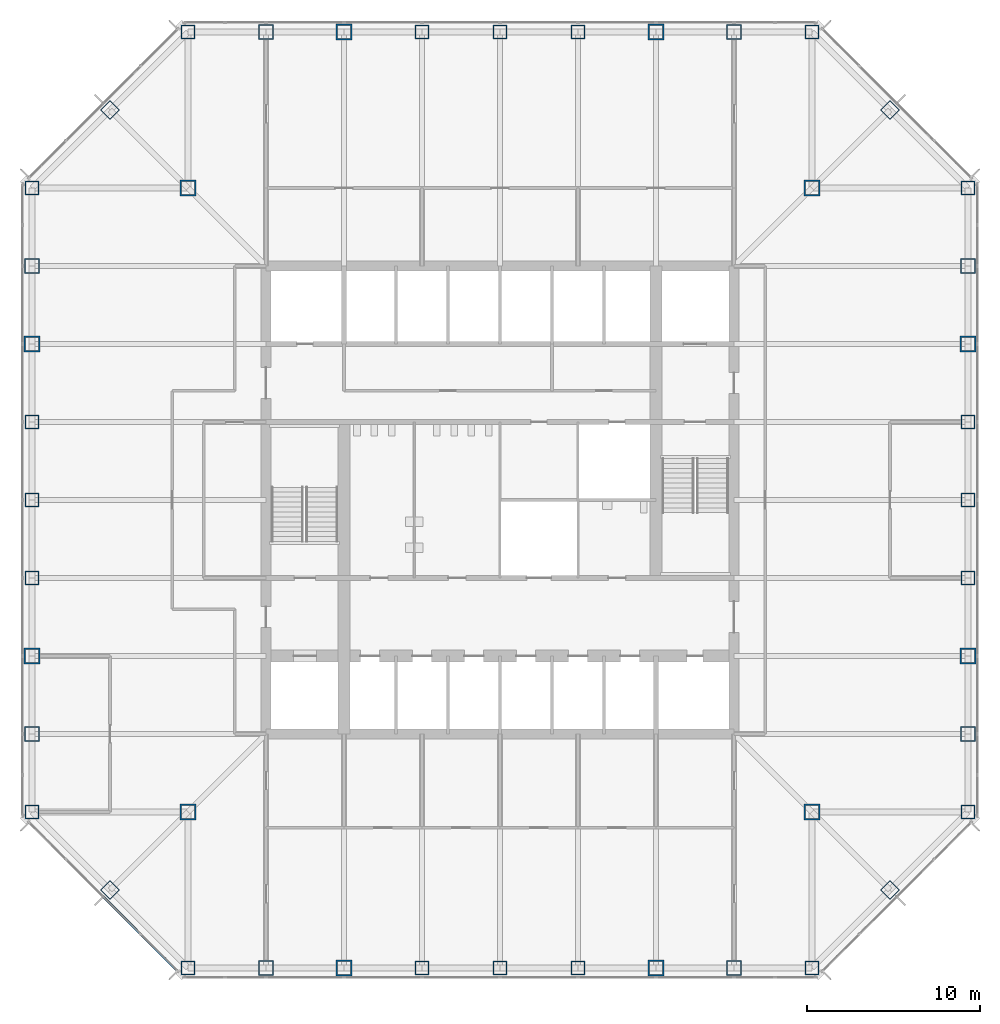
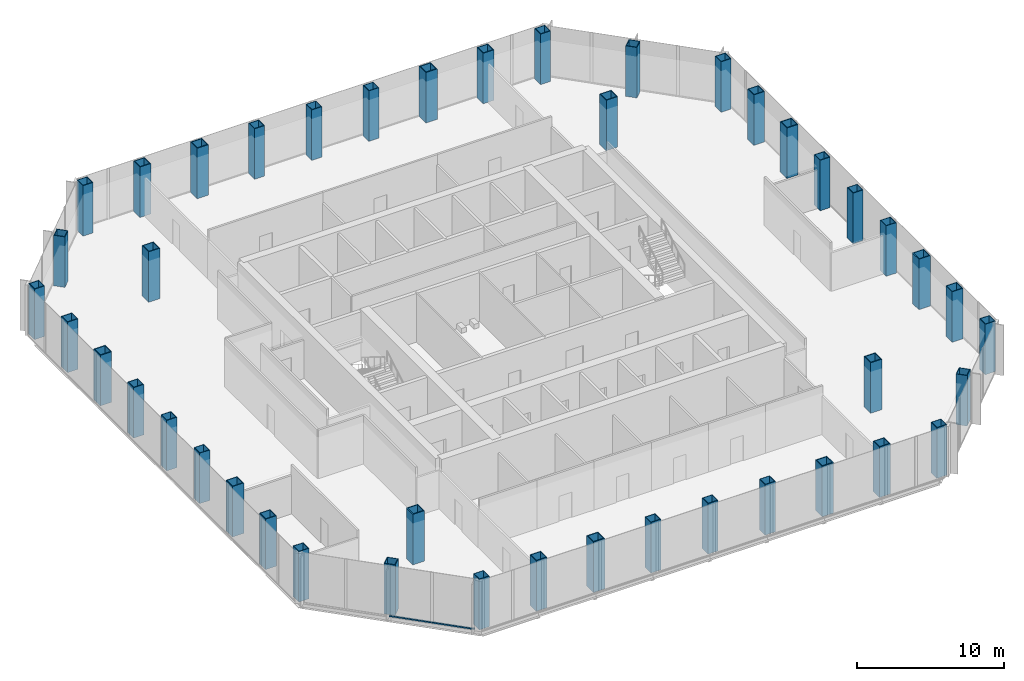
# One storey, part 1 of 12: 44 columns, 2 members, 1 element without a shape of its own.
"""IFC4 building model written with IfcOpenShell, lengths in metres."""

from ifc_helpers import new_model, si_unit, direction, frame, origin, origin_2d, place, context, subcontext, project, spatial, rectangle, hollow_rectangle, extrude, material, material_profile, profile_set, type_object, element, aggregate, save


model = new_model("IFC4")

# Units and contexts
model_context = context("Model", 3, precision=1e-05, world=origin(), true_north=direction((0.0, 1.0)))
body_context = subcontext(model_context, "Body", "Model", "MODEL_VIEW")
ifc_project = project(units=[si_unit("LENGTHUNIT", "METRE"), si_unit("AREAUNIT", "SQUARE_METRE"), si_unit("VOLUMEUNIT", "CUBIC_METRE"), si_unit("PLANEANGLEUNIT", "RADIAN"), si_unit("MASSUNIT", "GRAM", prefix="KILO")], contexts=[model_context])

# Site, building, storey
site_placement = place(None, origin())
site = spatial("IfcSite", under=ifc_project, at=site_placement, CompositionType="ELEMENT")
building_placement = place(site_placement, origin())
building = spatial("IfcBuilding", under=site, at=building_placement, Name="Corais Broadcast Tower", CompositionType="ELEMENT")
storey_placement = place(building_placement, frame((0.0, 0.0, 54.199951171875)))
storey = spatial("IfcBuildingStorey", under=building, at=storey_placement, Name="L11", CompositionType="ELEMENT", Elevation=54.199951171875)

# Columns
ifc_material_1 = material(Name="Steel ASTM A572 Grade 50", Category="steel")
ifc_material_profile_1 = material_profile(ifc_material_1, hollow_rectangle(XDim=0.800048828125, YDim=0.800048828125, WallThickness=0.044921875, at=origin_2d()), Name="BOX 800x800x45")
ifc_profile_set_1 = profile_set([ifc_material_profile_1], Name="Steel ASTM A572 Grade 50")
column_type_1 = type_object("IfcColumnType", Name="Column BOX 800x800x45", PredefinedType="COLUMN", material=ifc_profile_set_1)
for number, where, z_axis, x_axis, name in (
    (1, (9.0, 0.0, 0.0), (0.0, 0.0, 1.0), (1.0, 0.0, 0.0), "C3 A/5"),
    (2, (22.5, 0.0, 0.0), (0.0, 0.0, 1.0), (1.0, 0.0, 0.0), "C3 A/8"),
    (3, (27.0, 0.0, 0.0), (0.0, 0.0, 1.0), (1.0, 0.0, 0.0), "C3 A/9"),
    (4, (31.5, 0.0, 0.0), (0.0, 0.0, 1.0), (1.0, 0.0, 0.0), "C3 A/10"),
    (5, (45.0, 0.0, 0.0), (0.0, 0.0, 1.0), (1.0, 0.0, 0.0), "C3 A/13"),
    (6, (54.0, 9.0, 0.0), (0.0, 0.0, 1.0), (1.0, 0.0, 0.0), "C3 C/15"),
    (7, (54.0, 22.5, 0.0), (0.0, 0.0, 1.0), (1.0, 0.0, 0.0), "C3 F/15"),
    (8, (54.0, 27.0, 0.0), (0.0, 0.0, 1.0), (1.0, 0.0, 0.0), "C3 G/15"),
    (9, (54.0, 31.5, 0.0), (0.0, 0.0, 1.0), (1.0, 0.0, 0.0), "C3 H/15"),
    (10, (54.0, 45.0, 0.0), (0.0, 0.0, 1.0), (1.0, 0.0, 0.0), "C3 L/15"),
    (11, (45.0, 54.0, 0.0), (0.0, 0.0, 1.0), (1.0, 0.0, 0.0), "C3 N/13"),
    (12, (31.5, 54.0, 0.0), (0.0, 0.0, 1.0), (1.0, 0.0, 0.0), "C3 N/10"),
    (13, (27.0, 54.0, 0.0), (0.0, 0.0, 1.0), (1.0, 0.0, 0.0), "C3 N/9"),
    (14, (22.5, 54.0, 0.0), (0.0, 0.0, 1.0), (1.0, 0.0, 0.0), "C3 N/8"),
    (15, (9.0, 54.0, 0.0), (0.0, 0.0, 1.0), (1.0, 0.0, 0.0), "C3 N/5"),
    (16, (0.0, 45.0, 0.0), (0.0, 0.0, 1.0), (1.0, 0.0, 0.0), "C3 L/3"),
    (17, (0.0, 31.5, 0.0), (0.0, 0.0, 1.0), (1.0, 0.0, 0.0), "C3 H/3"),
    (18, (0.0, 27.0, 0.0), (0.0, 0.0, 1.0), (1.0, 0.0, 0.0), "C3 G/3"),
    (19, (0.0, 22.5, 0.0), (0.0, 0.0, 1.0), (1.0, 0.0, 0.0), "C3 F/3"),
    (20, (0.0, 9.0, 0.0), (0.0, 0.0, 1.0), (1.0, 0.0, 0.0), "C3 C/3"),
    (21, (4.5, 4.5, 0.0), (0.0, 0.0, 1.0), (0.707106781187, 0.707106781187, 0.0), "C3 B/4"),
    (22, (49.5, 4.5, 0.0), (0.0, 0.0, 1.0), (0.707106781187, 0.707106781187, 0.0), "C3 B/14"),
    (23, (49.5, 49.5, 0.0), (0.0, 0.0, 1.0), (0.707106781187, 0.707106781187, 0.0), "C3 M/14"),
    (24, (4.5, 49.5, 0.0), (0.0, 0.0, 1.0), (0.707106781187, 0.707106781187, 0.0), "C3 M/4"),
):
    element("IfcColumn", number, at=place(storey_placement, frame(where, z_axis=z_axis, x_axis=x_axis)), inside=storey, type_object=column_type_1, Name=name, PredefinedType="COLUMN", context=body_context, shape_type="SweptSolid", body=[
        extrude(hollow_rectangle(XDim=0.800048828125, YDim=0.800048828125, WallThickness=0.044921875, at=origin_2d()), origin(), (0.0, 0.0, 1.0), 4.199951171875),
    ])
ifc_material_2 = material(Name="Steel ASTM A572 Grade 50", Category="steel")
ifc_material_profile_2 = material_profile(ifc_material_2, hollow_rectangle(XDim=0.85009765625, YDim=0.85009765625, WallThickness=0.050048828125, at=origin_2d()), Name="BOX 850x850x50")
ifc_profile_set_2 = profile_set([ifc_material_profile_2], Name="Steel ASTM A572 Grade 50")
column_type_2 = type_object("IfcColumnType", Name="Column BOX 850x850x50", PredefinedType="COLUMN", material=ifc_profile_set_2)
for number, where, z_axis, x_axis, name in (
    (25, (13.5, 0.0, 0.0), (0.0, 0.0, 1.0), (1.0, 0.0, 0.0), "C1 A/6"),
    (26, (40.5, 0.0, 0.0), (0.0, 0.0, 1.0), (1.0, 0.0, 0.0), "C1 A/12"),
    (27, (54.0, 13.5, 0.0), (0.0, 0.0, 1.0), (1.0, 0.0, 0.0), "C1 D/15"),
    (28, (54.0, 40.5, 0.0), (0.0, 0.0, 1.0), (1.0, 0.0, 0.0), "C1 K/15"),
    (29, (40.5, 54.0, 0.0), (0.0, 0.0, 1.0), (1.0, 0.0, 0.0), "C1 N/12"),
    (30, (13.5, 54.0, 0.0), (0.0, 0.0, 1.0), (1.0, 0.0, 0.0), "C1 N/6"),
    (31, (0.0, 40.5, 0.0), (0.0, 0.0, 1.0), (1.0, 0.0, 0.0), "C1 K/3"),
    (32, (0.0, 13.5, 0.0), (0.0, 0.0, 1.0), (1.0, 0.0, 0.0), "C1 D/3"),
):
    element("IfcColumn", number, at=place(storey_placement, frame(where, z_axis=z_axis, x_axis=x_axis)), inside=storey, type_object=column_type_2, Name=name, PredefinedType="COLUMN", context=body_context, shape_type="SweptSolid", body=[
        extrude(hollow_rectangle(XDim=0.85009765625, YDim=0.85009765625, WallThickness=0.050048828125, at=origin_2d()), origin(), (0.0, 0.0, 1.0), 4.199951171875),
    ])
ifc_material_3 = material(Name="Steel ASTM A572 Grade 50", Category="steel")
ifc_material_profile_3 = material_profile(ifc_material_3, hollow_rectangle(XDim=0.89990234375, YDim=0.89990234375, WallThickness=0.06298828125, at=origin_2d()), Name="BOX 900x900x63")
ifc_profile_set_3 = profile_set([ifc_material_profile_3], Name="Steel ASTM A572 Grade 50")
column_type_3 = type_object("IfcColumnType", Name="Column BOX 900x900x63", PredefinedType="COLUMN", material=ifc_profile_set_3)
for number, where, z_axis, x_axis, name in (
    (33, (18.0, 0.0, 0.0), (0.0, 0.0, 1.0), (1.0, 0.0, 0.0), "C2 A/7"),
    (34, (36.0, 0.0, 0.0), (0.0, 0.0, 1.0), (1.0, 0.0, 0.0), "C2 A/11"),
    (35, (54.0, 18.0, 0.0), (0.0, 0.0, 1.0), (1.0, 0.0, 0.0), "C2 E/15"),
    (36, (54.0, 36.0, 0.0), (0.0, 0.0, 1.0), (1.0, 0.0, 0.0), "C2 J/15"),
    (37, (36.0, 54.0, 0.0), (0.0, 0.0, 1.0), (1.0, 0.0, 0.0), "C2 N/11"),
    (38, (18.0, 54.0, 0.0), (0.0, 0.0, 1.0), (1.0, 0.0, 0.0), "C2 N/7"),
    (39, (0.0, 36.0, 0.0), (0.0, 0.0, 1.0), (1.0, 0.0, 0.0), "C2 J/3"),
    (40, (0.0, 18.0, 0.0), (0.0, 0.0, 1.0), (1.0, 0.0, 0.0), "C2 E/3"),
    (41, (9.0, 9.0, 0.0), (0.0, 0.0, 1.0), (1.0, 0.0, 0.0), "C2 C/5"),
    (42, (45.0, 9.0, 0.0), (0.0, 0.0, 1.0), (1.0, 0.0, 0.0), "C2 C/13"),
    (43, (45.0, 45.0, 0.0), (0.0, 0.0, 1.0), (1.0, 0.0, 0.0), "C2 L/13"),
    (44, (9.0, 45.0, 0.0), (0.0, 0.0, 1.0), (1.0, 0.0, 0.0), "C2 L/5"),
):
    element("IfcColumn", number, at=place(storey_placement, frame(where, z_axis=z_axis, x_axis=x_axis)), inside=storey, type_object=column_type_3, Name=name, PredefinedType="COLUMN", context=body_context, shape_type="SweptSolid", body=[
        extrude(hollow_rectangle(XDim=0.89990234375, YDim=0.89990234375, WallThickness=0.06298828125, at=origin_2d()), origin(), (0.0, 0.0, 1.0), 4.199951171875),
    ])

# Curtain wall, members
ifc_material_4 = material(Name="Aluminium and glass", Category="aluminium")
curtain_wall_type = type_object("IfcCurtainWallType", Name="Unitised fritted curtain wall CW1", PredefinedType="NOTDEFINED", material=ifc_material_4)
curtain_wall_placement = place(storey_placement, origin())
curtain_wall = element("IfcCurtainWall", 45, at=curtain_wall_placement, inside=storey, type_object=curtain_wall_type, Name="CW1 curtain wall L11 1", PredefinedType="NOTDEFINED")
ifc_material_5 = material(Name="Aluminium 6063-T6", Category="aluminium")
ifc_material_profile_4 = material_profile(ifc_material_5, rectangle(XDim=0.139892578125, YDim=0.06494140625, at=origin_2d()), Name="Transom CW1 65x140")
ifc_profile_set_4 = profile_set([ifc_material_profile_4], Name="Aluminium 6063-T6")
member_type = type_object("IfcMemberType", Name="Transom CW1 65x140", PredefinedType="USERDEFINED", material=ifc_profile_set_4)
member_1_placement = place(storey_placement, frame((8.37255859375, -0.150390625, 0.032470703125), z_axis=(-0.707106781187, 0.707106781187, 0.0), x_axis=(-0.707106781187, -0.707106781187, 0.0)))
member_1 = element("IfcMember", 46, at=member_1_placement, type_object=member_type, Name="CW1 transom 1.1", ObjectType="TRANSOM", PredefinedType="USERDEFINED", context=body_context, shape_type="SweptSolid", body=[
    extrude(rectangle(XDim=0.139892578125, YDim=0.06494140625, at=origin_2d()), origin(), (0.0, 0.0, 1.0), 2.9482421875),
])
member_2_placement = place(storey_placement, frame((6.241943359375, 1.980224609375, 0.032470703125), z_axis=(-0.707106781187, 0.707106781187, 0.0), x_axis=(-0.707106781187, -0.707106781187, 0.0)))
member_2 = element("IfcMember", 47, at=member_2_placement, type_object=member_type, Name="CW1 transom 2.1", ObjectType="TRANSOM", PredefinedType="USERDEFINED", context=body_context, shape_type="SweptSolid", body=[
    extrude(rectangle(XDim=0.139892578125, YDim=0.06494140625, at=origin_2d()), origin(), (0.0, 0.0, 1.0), 2.98095703125),
])
aggregate(curtain_wall, [member_1, member_2])

save(model, "model.ifc")
